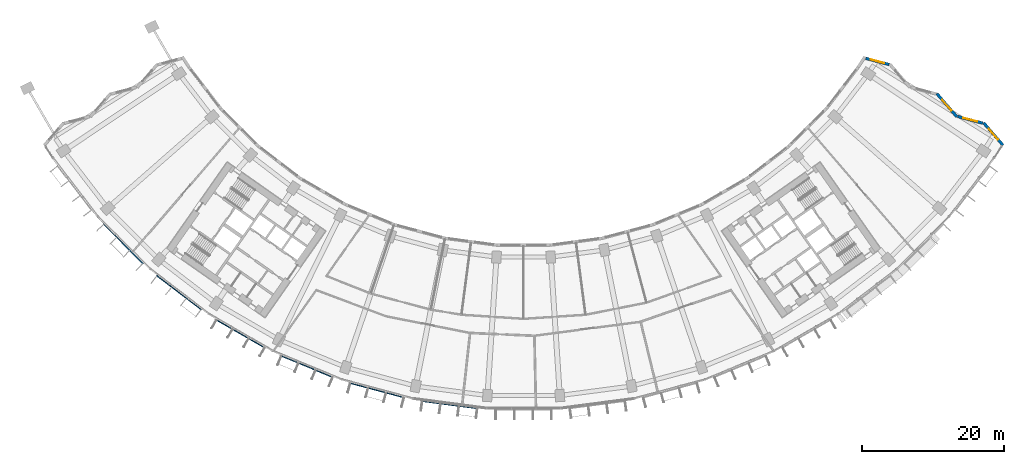
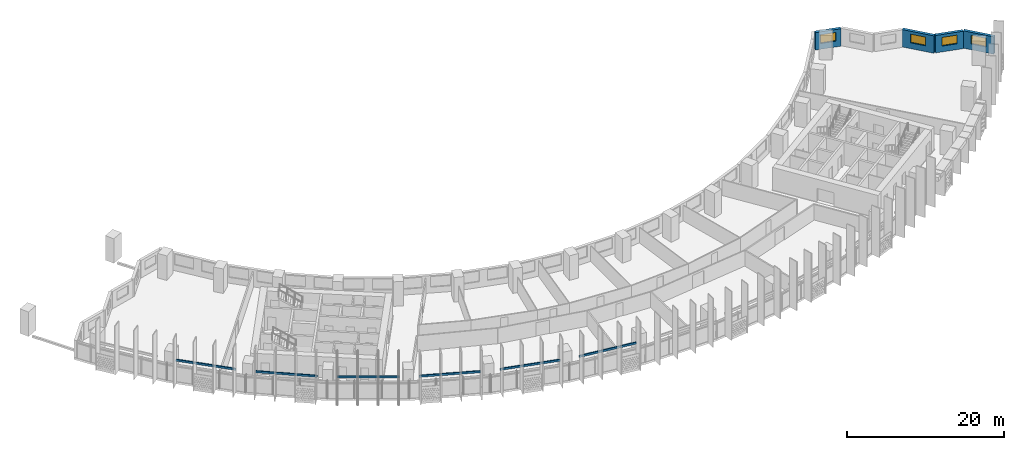
# One storey, part 8 of 31: 6 discrete accessories, 4 walls, 4 windows, 4 openings.
"""IFC4 building model written with IfcOpenShell, lengths in metres."""

from ifc_helpers import new_model, si_unit, direction, frame, frame_2d, origin, origin_2d, place, context, subcontext, project, spatial, rectangle, extrude, material, layer, layer_set, type_object, element, fill, save


model = new_model("IFC4")

# Units and contexts
model_context = context("Model", 3, precision=1e-05, world=origin(), true_north=direction((0.0, 1.0)))
body_context = subcontext(model_context, "Body", "Model", "MODEL_VIEW")
ifc_project = project(units=[si_unit("LENGTHUNIT", "METRE"), si_unit("AREAUNIT", "SQUARE_METRE"), si_unit("VOLUMEUNIT", "CUBIC_METRE"), si_unit("PLANEANGLEUNIT", "RADIAN"), si_unit("MASSUNIT", "GRAM", prefix="KILO")], contexts=[model_context])

# Site, building, storey
site_placement = place(None, origin())
site = spatial("IfcSite", under=ifc_project, at=site_placement, CompositionType="ELEMENT")
building_placement = place(site_placement, origin())
building = spatial("IfcBuilding", under=site, at=building_placement, Name="Qamariyya Broadcast Tower", CompositionType="ELEMENT")
storey_placement = place(building_placement, frame((0.0, 0.0, 55.699951171875)))
storey = spatial("IfcBuildingStorey", under=building, at=storey_placement, Name="L10", CompositionType="ELEMENT", Elevation=55.699951171875)

# Wall, opening, window
ifc_material_1 = material(Name="Terracotta", Category="masonry")
ifc_layer = layer(ifc_material_1, 0.39990234375)
ifc_layer_set = layer_set([ifc_layer], Name="Terracotta clad wall 400")
wall_type = type_object("IfcWallType", Name="Terracotta clad wall 400", PredefinedType="SOLIDWALL", material=ifc_layer_set)
wall_1_placement = place(storey_placement, frame((67.363037109375, -42.39111328125, 0.0), z_axis=(0.0, 0.0, 1.0), x_axis=(-0.653757112445, 0.756704458774, 0.0)))
wall_1 = element("IfcWall", 1, at=wall_1_placement, inside=storey, type_object=wall_type, Name="e-wl-L10-capE0", PredefinedType="SOLIDWALL", context=body_context, shape_type="SweptSolid", body=[
    extrude(rectangle(XDim=4.12158203125, YDim=0.39990234375, at=frame_2d((2.060791015625, 0.0))), origin(), (0.0, 0.0, 1.0), 2.699951171875),
])
opening_1_placement = place(wall_1_placement, frame((1.060791015625, 0.0, 0.89990234375)))
opening_1 = element("IfcOpeningElement", 2, at=opening_1_placement, cuts=wall_1, Name="Opening W4", PredefinedType="OPENING", context=body_context, shape_type="SweptSolid", body=[
    extrude(rectangle(XDim=2.0, YDim=1.35009765625, at=frame_2d((1.0, 0.675048828125))), frame((0.0, 0.2099609375, 0.0), z_axis=(0.0, -1.0, 0.0), x_axis=(1.0, 0.0, 0.0)), (0.0, 0.0, 1.0), 0.419921875),
])
ifc_material_2 = material(Name="Clear low-e double glazed unit in aluminium frame", Category="aluminium")
window_type = type_object("IfcWindowType", Name="Horn bay window 2000 x 1350", PartitioningType="SINGLE_PANEL", PredefinedType="WINDOW", material=ifc_material_2)
window_1_placement = place(opening_1_placement, origin())
window_1 = element("IfcWindow", 3, at=window_1_placement, inside=storey, type_object=window_type, Name="e-w-L10-capE0", OverallHeight=1.35009765625, OverallWidth=2.0, PartitioningType="SINGLE_PANEL", PredefinedType="WINDOW", context=body_context, shape_type="SweptSolid", body=[
    extrude(rectangle(XDim=2.0, YDim=1.35009765625, at=frame_2d((1.0, 0.675048828125))), frame((0.0, 0.030029296875, 0.0), z_axis=(0.0, -1.0, 0.0), x_axis=(1.0, 0.0, 0.0)), (0.0, 0.0, 1.0), 0.06005859375),
])
fill(opening_1, window_1)

wall_2_placement = place(storey_placement, frame((64.543701171875, -39.30322265625, 0.0), z_axis=(0.0, 0.0, 1.0), x_axis=(-0.966675524823, 0.256004745481, 0.0)))
wall_2 = element("IfcWall", 4, at=wall_2_placement, inside=storey, type_object=wall_type, Name="e-wl-L10-capE1", PredefinedType="SOLIDWALL", context=body_context, shape_type="SweptSolid", body=[
    extrude(rectangle(XDim=3.648681640625, YDim=0.39990234375, at=frame_2d((1.82421875, 0.0))), origin(), (0.0, 0.0, 1.0), 2.699951171875),
])
opening_2_placement = place(wall_2_placement, frame((0.824462890625, 0.0, 0.89990234375)))
opening_2 = element("IfcOpeningElement", 5, at=opening_2_placement, cuts=wall_2, Name="Opening W4", PredefinedType="OPENING", context=body_context, shape_type="SweptSolid", body=[
    extrude(rectangle(XDim=2.0, YDim=1.35009765625, at=frame_2d((1.0, 0.675048828125))), frame((0.0, 0.2099609375, 0.0), z_axis=(0.0, -1.0, 0.0), x_axis=(1.0, 0.0, 0.0)), (0.0, 0.0, 1.0), 0.419921875),
])
window_2_placement = place(opening_2_placement, origin())
window_2 = element("IfcWindow", 6, at=window_2_placement, inside=storey, type_object=window_type, Name="e-w-L10-capE1", OverallHeight=1.35009765625, OverallWidth=2.0, PartitioningType="SINGLE_PANEL", PredefinedType="WINDOW", context=body_context, shape_type="SweptSolid", body=[
    extrude(rectangle(XDim=2.0, YDim=1.35009765625, at=frame_2d((1.0, 0.675048828125))), frame((0.0, 0.030029296875, 0.0), z_axis=(0.0, -1.0, 0.0), x_axis=(1.0, 0.0, 0.0)), (0.0, 0.0, 1.0), 0.06005859375),
])
fill(opening_2, window_2)

wall_3_placement = place(storey_placement, frame((60.891845703125, -38.400390625, 0.0), z_axis=(0.0, 0.0, 1.0), x_axis=(-0.653782670149, 0.756682377364, 0.0)))
wall_3 = element("IfcWall", 7, at=wall_3_placement, inside=storey, type_object=wall_type, Name="e-wl-L10-capE2", PredefinedType="SOLIDWALL", context=body_context, shape_type="SweptSolid", body=[
    extrude(rectangle(XDim=4.29443359375, YDim=0.39990234375, at=frame_2d((2.147216796875, 0.0))), origin(), (0.0, 0.0, 1.0), 2.699951171875),
])
opening_3_placement = place(wall_3_placement, frame((1.147216796875, 0.0, 0.89990234375)))
opening_3 = element("IfcOpeningElement", 8, at=opening_3_placement, cuts=wall_3, Name="Opening W4", PredefinedType="OPENING", context=body_context, shape_type="SweptSolid", body=[
    extrude(rectangle(XDim=2.0, YDim=1.35009765625, at=frame_2d((1.0, 0.675048828125))), frame((0.0, 0.2099609375, 0.0), z_axis=(0.0, -1.0, 0.0), x_axis=(1.0, 0.0, 0.0)), (0.0, 0.0, 1.0), 0.419921875),
])
window_3_placement = place(opening_3_placement, origin())
window_3 = element("IfcWindow", 9, at=window_3_placement, inside=storey, type_object=window_type, Name="e-w-L10-capE2", OverallHeight=1.35009765625, OverallWidth=2.0, PartitioningType="SINGLE_PANEL", PredefinedType="WINDOW", context=body_context, shape_type="SweptSolid", body=[
    extrude(rectangle(XDim=2.0, YDim=1.35009765625, at=frame_2d((1.0, 0.675048828125))), frame((0.0, 0.030029296875, 0.0), z_axis=(0.0, -1.0, 0.0), x_axis=(1.0, 0.0, 0.0)), (0.0, 0.0, 1.0), 0.06005859375),
])
fill(opening_3, window_3)

wall_4_placement = place(storey_placement, frame((51.375, -31.060546875, 0.0), z_axis=(0.0, 0.0, 1.0), x_axis=(-0.966712031238, 0.25586685729, 0.0)))
wall_4 = element("IfcWall", 10, at=wall_4_placement, inside=storey, type_object=wall_type, Name="e-wl-L10-capE5", PredefinedType="SOLIDWALL", context=body_context, shape_type="SweptSolid", body=[
    extrude(rectangle(XDim=3.39404296875, YDim=0.39990234375, at=frame_2d((1.697021484375, 0.0))), origin(), (0.0, 0.0, 1.0), 2.699951171875),
])
opening_4_placement = place(wall_4_placement, frame((0.697021484375, 0.0, 0.89990234375)))
opening_4 = element("IfcOpeningElement", 11, at=opening_4_placement, cuts=wall_4, Name="Opening W4", PredefinedType="OPENING", context=body_context, shape_type="SweptSolid", body=[
    extrude(rectangle(XDim=2.0, YDim=1.35009765625, at=frame_2d((1.0, 0.675048828125))), frame((0.0, 0.2099609375, 0.0), z_axis=(0.0, -1.0, 0.0), x_axis=(1.0, 0.0, 0.0)), (0.0, 0.0, 1.0), 0.419921875),
])
window_4_placement = place(opening_4_placement, origin())
window_4 = element("IfcWindow", 12, at=window_4_placement, inside=storey, type_object=window_type, Name="e-w-L10-capE5", OverallHeight=1.35009765625, OverallWidth=2.0, PartitioningType="SINGLE_PANEL", PredefinedType="WINDOW", context=body_context, shape_type="SweptSolid", body=[
    extrude(rectangle(XDim=2.0, YDim=1.35009765625, at=frame_2d((1.0, 0.675048828125))), frame((0.0, 0.030029296875, 0.0), z_axis=(0.0, -1.0, 0.0), x_axis=(1.0, 0.0, 0.0)), (0.0, 0.0, 1.0), 0.06005859375),
])
fill(opening_4, window_4)

# Discrete accessories
ifc_material_3 = material(Name="Stainless steel 316", Category="steel")
discrete_accessory_type = type_object("IfcDiscreteAccessoryType", Name="Slab edge fixing angle, stainless steel", PredefinedType="BRACKET", material=ifc_material_3)
for number, where, z_axis, x_axis, name in (
    (13, (-56.25341796875, -56.25341796875, 3.2998046875), (0.0, 0.0, 1.0), (0.707106781187, -0.707106781187, 0.0), "e-br-L10-02-0"),
    (14, (-48.4296875, -63.11474609375, 3.2998046875), (0.0, 0.0, 1.0), (0.793353340291, -0.608761429009, 0.0), "e-br-L10-03-0"),
    (15, (-39.77734375, -68.896240234375, 3.2998046875), (0.0, 0.0, 1.0), (0.866025403784, -0.5, 0.0), "e-br-L10-04-0"),
    (16, (-30.444091796875, -73.498779296875, 3.2998046875), (0.0, 0.0, 1.0), (0.923879532511, -0.382683432365, 0.0), "e-br-L10-05-0"),
    (17, (-20.59033203125, -76.84375, 3.2998046875), (0.0, 0.0, 1.0), (0.965925826289, -0.258819045103, 0.0), "e-br-L10-06-0"),
    (18, (-10.384033203125, -78.873779296875, 3.2998046875), (0.0, 0.0, 1.0), (0.991444861374, -0.13052619222, 0.0), "e-br-L10-07-0"),
):
    element("IfcDiscreteAccessory", number, at=place(storey_placement, frame(where, z_axis=z_axis, x_axis=x_axis)), inside=storey, type_object=discrete_accessory_type, Name=name, PredefinedType="BRACKET", context=body_context, shape_type="SweptSolid", body=[
        extrude(rectangle(XDim=7.9140625, YDim=0.14990234375, at=origin_2d()), origin(), (0.0, 0.0, 1.0), 0.300048828125),
    ])

save(model, "model.ifc")
